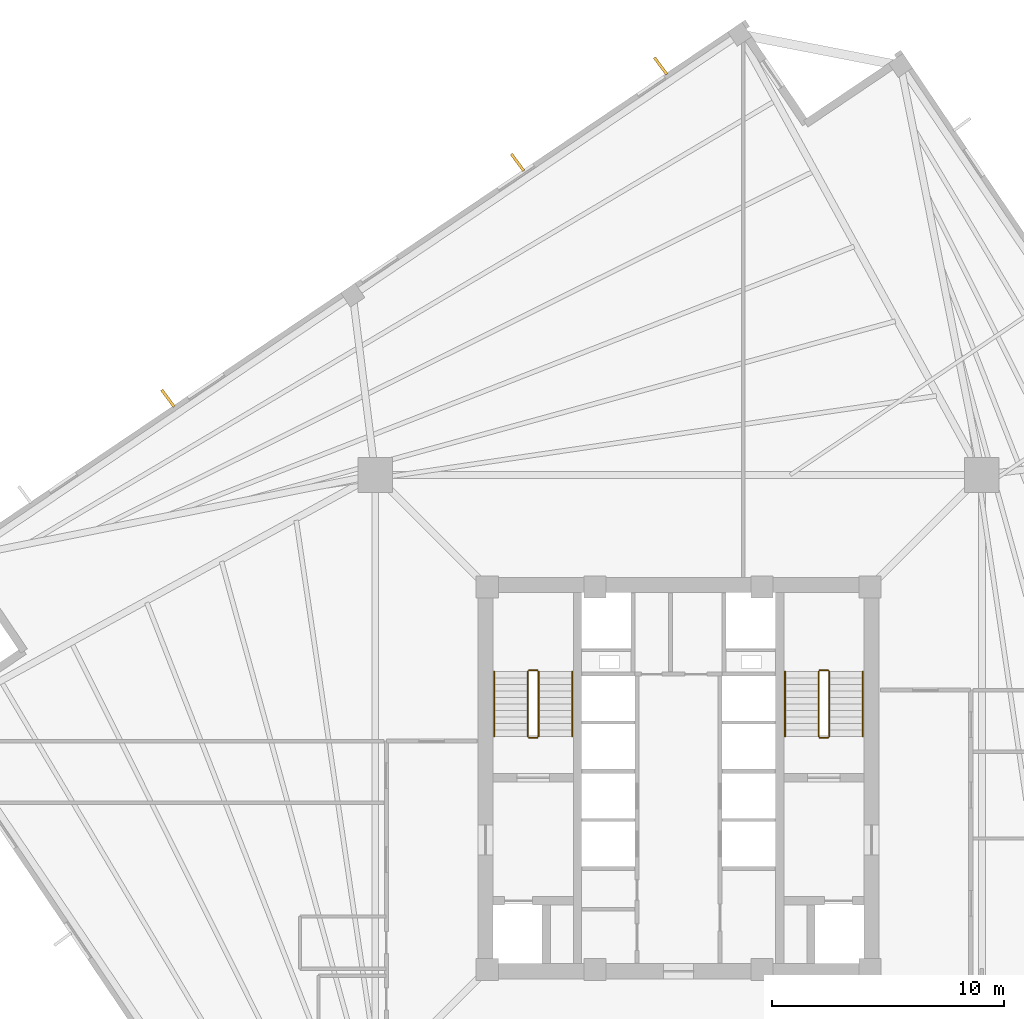
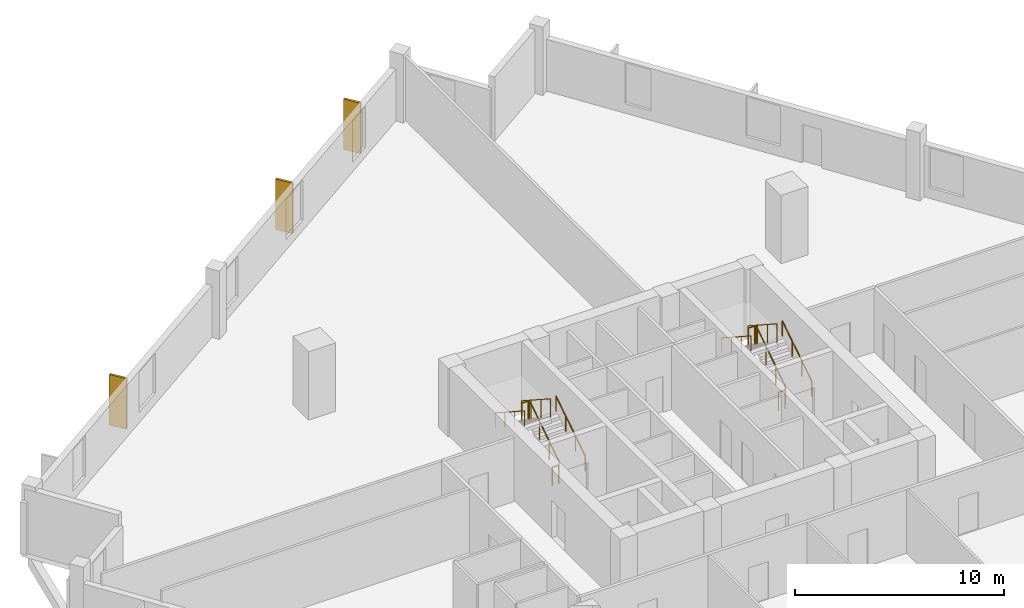
# One storey, part 8 of 9: 12 railings, 3 coverings.
"""IFC4 building model written with IfcOpenShell, lengths in metres."""

from ifc_helpers import new_model, si_unit, direction, frame, origin, origin_2d, place, context, subcontext, project, spatial, rectangle, circle, extrude, source, transform, mapped, material, layer, layer_set, type_object, element, save


model = new_model("IFC4")

# Units and contexts
model_context = context("Model", 3, precision=1e-05, world=origin(), true_north=direction((0.0, 1.0)))
body_context = subcontext(model_context, "Body", "Model", "MODEL_VIEW")
ifc_project = project(units=[si_unit("LENGTHUNIT", "METRE"), si_unit("AREAUNIT", "SQUARE_METRE"), si_unit("VOLUMEUNIT", "CUBIC_METRE"), si_unit("PLANEANGLEUNIT", "RADIAN"), si_unit("MASSUNIT", "GRAM", prefix="KILO"), si_unit("THERMODYNAMICTEMPERATUREUNIT", "KELVIN")], contexts=[model_context])

# Site, building, storey
site_placement = place(None, origin())
site = spatial("IfcSite", under=ifc_project, at=site_placement, CompositionType="ELEMENT")
building_placement = place(site_placement, origin())
building = spatial("IfcBuilding", under=site, at=building_placement, Name="Kosmvard Interchange Tower", CompositionType="ELEMENT")
storey_placement = place(building_placement, frame((0.0, 0.0, 192.39990234375)))
storey = spatial("IfcBuildingStorey", under=building, at=storey_placement, Name="L46", CompositionType="ELEMENT", Elevation=192.39990234375)

# Coverings
ifc_material_1 = material(Name="Architectural anodised aluminium", Category="aluminium")
ifc_layer = layer(ifc_material_1, 0.1201171875, Name="Architectural anodised aluminium")
ifc_layer_set = layer_set([ifc_layer], Name="Architectural anodised aluminium")
covering_type = type_object("IfcCoveringType", Name="Rotating Vertical Sun-Breaker Fin 900x120 Aluminium", PredefinedType="CLADDING", material=ifc_layer_set)
shared_shape_1 = source(origin(), body_context, "Body", "SweptSolid", [
    extrude(rectangle(XDim=0.89990234375, YDim=0.1201171875, at=origin_2d()), origin(), (0.0, 0.0, 1.0), 2.9599609375),
])
for number, where, z_axis, x_axis, name in (
    (1, (-0.774169921875, 30.718994140625, 0.0400390625), (0.0, 0.0, 1.0), (-0.59454215154, 0.804064443961, 0.0), "L46 Rotating Vertical Sun-Breaker Fin 09"),
    (2, (-6.943115234375, 26.557861328125, 0.0400390625), (0.0, 0.0, 1.0), (-0.59454215154, 0.804064443961, 0.0), "L46 Rotating Vertical Sun-Breaker Fin 10"),
    (3, (-22.02294921875, 16.38623046875, 0.0400390625), (0.0, 0.0, 1.0), (-0.59454215154, 0.804064443961, 0.0), "L46 Rotating Vertical Sun-Breaker Fin 11"),
):
    element("IfcCovering", number, at=place(storey_placement, frame(where, z_axis=z_axis, x_axis=x_axis)), inside=storey, type_object=covering_type, Name=name, PredefinedType="CLADDING", context=body_context, shape_type="MappedRepresentation", body=[
        mapped(shared_shape_1, transform((0.0, 0.0, 0.0), scale=1.0)),
    ])

# Railings
ifc_material_2 = material(Name="Steel S355", Category="steel")
railing_type_1 = type_object("IfcRailingType", Name="Stair & Terrace Safety Guardrail 1100 Steel", PredefinedType="GUARDRAIL", material=ifc_material_2)
shared_shape_2 = source(origin(), body_context, "Body", "SweptSolid", [
    extrude(circle(Radius=0.02392578125, at=origin_2d()), frame((0.0, 0.0, 1.076171875), z_axis=(-1.0, 0.0, 0.0), x_axis=(0.0, -1.0, 0.0)), (0.0, 0.0, 1.0), 0.35986328125),
    extrude(circle(Radius=0.02099609375, at=origin_2d()), origin(), (0.0, 0.0, 1.0), 1.052001953125),
    extrude(circle(Radius=0.02099609375, at=origin_2d()), frame((-0.35986328125, 0.0, 0.0)), (0.0, 0.0, 1.0), 1.052001953125),
])
for number, where, name in (
    (4, (-6.090087890625, 4.64990234375, 2.0), "L46 ST-1 stair guard 2"),
    (5, (-6.090087890625, 1.75, 0.0), "L46 ST-1 stair guard 4"),
    (6, (6.449951171875, 4.64990234375, 2.0), "L46 ST-2 stair guard 2"),
    (7, (6.449951171875, 1.75, 0.0), "L46 ST-2 stair guard 4"),
):
    element("IfcRailing", number, at=place(storey_placement, frame(where)), inside=storey, type_object=railing_type_1, Name=name, PredefinedType="GUARDRAIL", context=body_context, shape_type="MappedRepresentation", body=[
        mapped(shared_shape_2, transform((0.0, 0.0, 0.0), scale=1.0)),
    ])
shared_shape_3 = source(origin(), body_context, "Body", "SweptSolid", [
    extrude(circle(Radius=0.02392578125, at=origin_2d()), frame((0.0, 0.0, 1.076171875), z_axis=(0.0, 0.838705829183, 0.544584733623), x_axis=(-1.0, 0.0, 0.0)), (0.0, 0.0, 1.0), 3.338623046875),
    extrude(circle(Radius=0.02099609375, at=origin_2d()), origin(), (0.0, 0.0, 1.0), 1.052001953125),
    extrude(circle(Radius=0.02099609375, at=origin_2d()), frame((0.0, 0.933349609375, 0.60595703125)), (0.0, 0.0, 1.0), 1.052001953125),
    extrude(circle(Radius=0.02099609375, at=origin_2d()), frame((0.0, 1.86669921875, 1.212158203125)), (0.0, 0.0, 1.0), 1.052001953125),
    extrude(circle(Radius=0.02099609375, at=origin_2d()), frame((0.0, 2.800048828125, 1.818115234375)), (0.0, 0.0, 1.0), 1.052001953125),
])
for number, where, name in (
    (8, (-6.0400390625, 1.800048828125, 0.181884765625), "L46 ST-1 stair guard 1"),
    (9, (6.5, 1.800048828125, 0.181884765625), "L46 ST-2 stair guard 1"),
):
    element("IfcRailing", number, at=place(storey_placement, frame(where)), inside=storey, type_object=railing_type_1, Name=name, PredefinedType="GUARDRAIL", context=body_context, shape_type="MappedRepresentation", body=[
        mapped(shared_shape_3, transform((0.0, 0.0, 0.0), scale=1.0)),
    ])
shared_shape_4 = source(origin(), body_context, "Body", "SweptSolid", [
    extrude(circle(Radius=0.02392578125, at=origin_2d()), frame((0.0, 0.0, 1.076171875), z_axis=(0.0, -0.838705829183, 0.544584733623), x_axis=(1.0, 0.0, 0.0)), (0.0, 0.0, 1.0), 3.338623046875),
    extrude(circle(Radius=0.02099609375, at=origin_2d()), origin(), (0.0, 0.0, 1.0), 1.052001953125),
    extrude(circle(Radius=0.02099609375, at=origin_2d()), frame((0.0, -0.933349609375, 0.60595703125)), (0.0, 0.0, 1.0), 1.052001953125),
    extrude(circle(Radius=0.02099609375, at=origin_2d()), frame((0.0, -1.86669921875, 1.212158203125)), (0.0, 0.0, 1.0), 1.052001953125),
    extrude(circle(Radius=0.02099609375, at=origin_2d()), frame((0.0, -2.800048828125, 1.818115234375)), (0.0, 0.0, 1.0), 1.052001953125),
])
for number, where, name in (
    (10, (-6.5, 4.60009765625, 2.181884765625), "L46 ST-1 stair guard 3"),
    (11, (6.0400390625, 4.60009765625, 2.181884765625), "L46 ST-2 stair guard 3"),
):
    element("IfcRailing", number, at=place(storey_placement, frame(where)), inside=storey, type_object=railing_type_1, Name=name, PredefinedType="GUARDRAIL", context=body_context, shape_type="MappedRepresentation", body=[
        mapped(shared_shape_4, transform((0.0, 0.0, 0.0), scale=1.0)),
    ])
railing_type_2 = type_object("IfcRailingType", Name="Wall-Mounted Stair Handrail 900 Steel", PredefinedType="HANDRAIL", material=ifc_material_2)
shared_shape_5 = source(origin(), body_context, "Body", "SweptSolid", [
    extrude(circle(Radius=0.02392578125, at=origin_2d()), frame((0.0, 0.0, 0.8759765625), z_axis=(0.0, 0.838705829183, 0.544584733623), x_axis=(-1.0, 0.0, 0.0)), (0.0, 0.0, 1.0), 3.338623046875),
    extrude(circle(Radius=0.02099609375, at=origin_2d()), origin(), (0.0, 0.0, 1.0), 0.851806640625),
    extrude(circle(Radius=0.02099609375, at=origin_2d()), frame((0.0, 0.933349609375, 0.60595703125)), (0.0, 0.0, 1.0), 0.851806640625),
    extrude(circle(Radius=0.02099609375, at=origin_2d()), frame((0.0, 1.86669921875, 1.212158203125)), (0.0, 0.0, 1.0), 0.851806640625),
    extrude(circle(Radius=0.02099609375, at=origin_2d()), frame((0.0, 2.800048828125, 1.818115234375)), (0.0, 0.0, 1.0), 0.851806640625),
])
for number, where, name in (
    (12, (-4.590087890625, 1.800048828125, 0.181884765625), "L46 ST-1 stair handrail 1"),
    (13, (7.949951171875, 1.800048828125, 0.181884765625), "L46 ST-2 stair handrail 1"),
):
    element("IfcRailing", number, at=place(storey_placement, frame(where)), inside=storey, type_object=railing_type_2, Name=name, PredefinedType="HANDRAIL", context=body_context, shape_type="MappedRepresentation", body=[
        mapped(shared_shape_5, transform((0.0, 0.0, 0.0), scale=1.0)),
    ])
shared_shape_6 = source(origin(), body_context, "Body", "SweptSolid", [
    extrude(circle(Radius=0.02392578125, at=origin_2d()), frame((0.0, 0.0, 0.8759765625), z_axis=(0.0, -0.838705829183, 0.544584733623), x_axis=(1.0, 0.0, 0.0)), (0.0, 0.0, 1.0), 3.338623046875),
    extrude(circle(Radius=0.02099609375, at=origin_2d()), origin(), (0.0, 0.0, 1.0), 0.851806640625),
    extrude(circle(Radius=0.02099609375, at=origin_2d()), frame((0.0, -0.933349609375, 0.60595703125)), (0.0, 0.0, 1.0), 0.851806640625),
    extrude(circle(Radius=0.02099609375, at=origin_2d()), frame((0.0, -1.86669921875, 1.212158203125)), (0.0, 0.0, 1.0), 0.851806640625),
    extrude(circle(Radius=0.02099609375, at=origin_2d()), frame((0.0, -2.800048828125, 1.818115234375)), (0.0, 0.0, 1.0), 0.851806640625),
])
for number, where, name in (
    (14, (-7.949951171875, 4.60009765625, 2.181884765625), "L46 ST-1 stair handrail 2"),
    (15, (4.590087890625, 4.60009765625, 2.181884765625), "L46 ST-2 stair handrail 2"),
):
    element("IfcRailing", number, at=place(storey_placement, frame(where)), inside=storey, type_object=railing_type_2, Name=name, PredefinedType="HANDRAIL", context=body_context, shape_type="MappedRepresentation", body=[
        mapped(shared_shape_6, transform((0.0, 0.0, 0.0), scale=1.0)),
    ])

save(model, "model.ifc")
